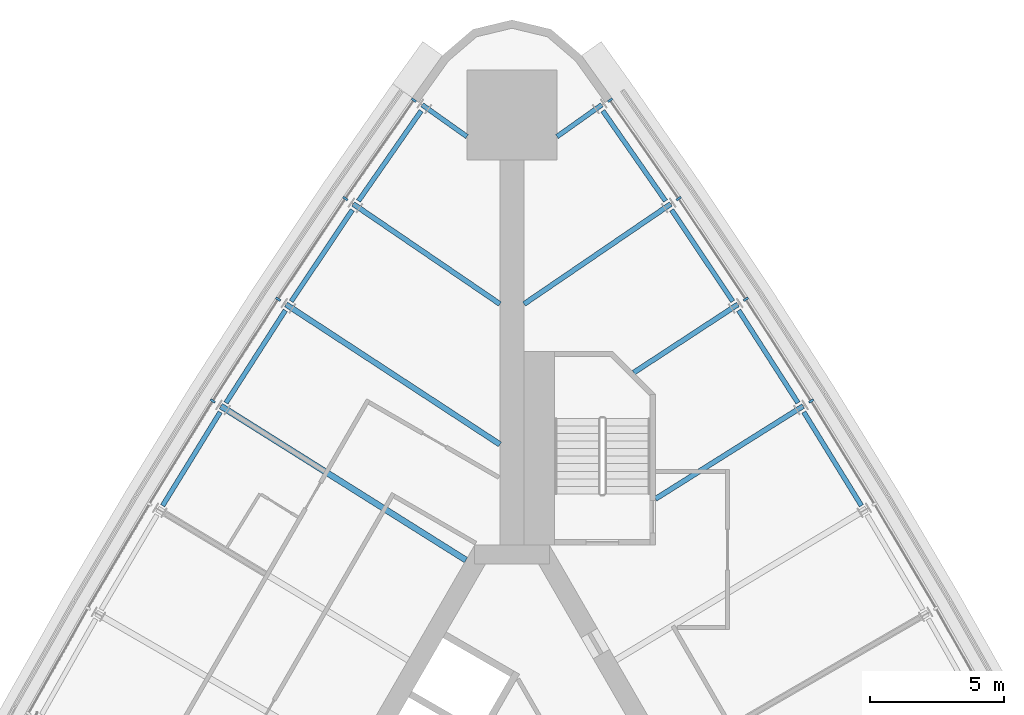
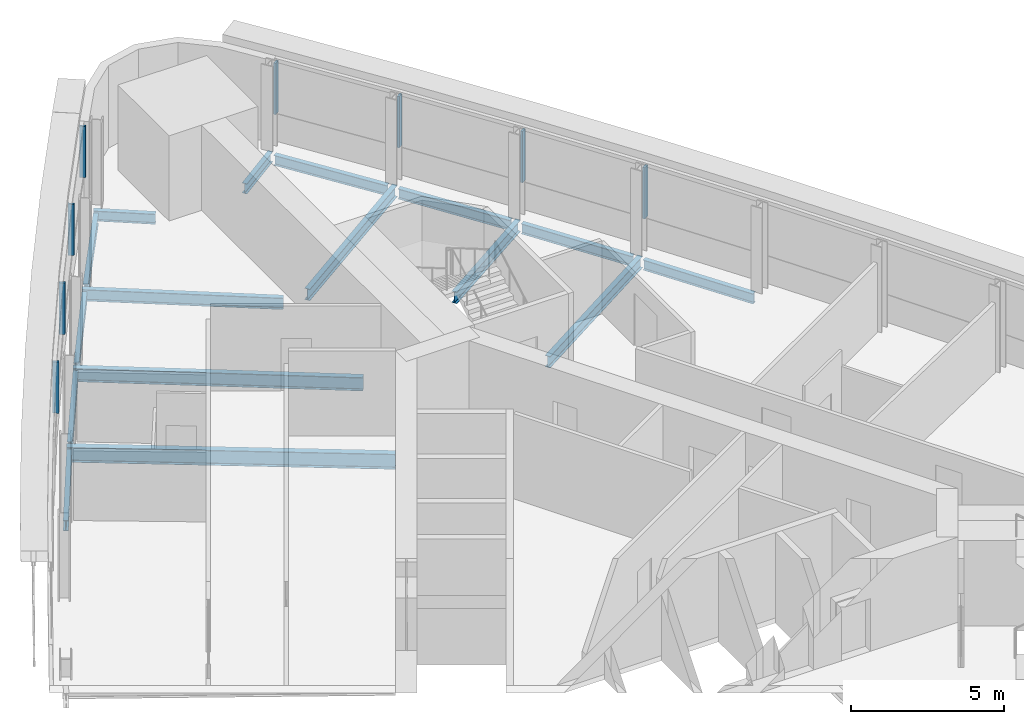
# One storey, part 8 of 14: 16 beams, 8 members, 2 elements without a shape of their own.
"""IFC4 building model written with IfcOpenShell, lengths in metres."""

from ifc_helpers import new_model, si_unit, direction, frame, origin, origin_2d, place, context, subcontext, project, spatial, rectangle, i_section, extrude, material, material_profile, profile_set, type_object, element, aggregate, save


model = new_model("IFC4")

# Units and contexts
model_context = context("Model", 3, precision=1e-05, world=origin(), true_north=direction((0.0, 1.0)))
body_context = subcontext(model_context, "Body", "Model", "MODEL_VIEW")
ifc_project = project(units=[si_unit("LENGTHUNIT", "METRE"), si_unit("AREAUNIT", "SQUARE_METRE"), si_unit("VOLUMEUNIT", "CUBIC_METRE"), si_unit("PLANEANGLEUNIT", "RADIAN"), si_unit("MASSUNIT", "GRAM", prefix="KILO")], contexts=[model_context])

# Site, building, storey
site_placement = place(None, origin())
site = spatial("IfcSite", under=ifc_project, at=site_placement, CompositionType="ELEMENT")
building_placement = place(site_placement, origin())
building = spatial("IfcBuilding", under=site, at=building_placement, Name="Noor Cloister Tower", CompositionType="ELEMENT")
storey_placement = place(building_placement, frame((0.0, 0.0, 42.0)))
storey = spatial("IfcBuildingStorey", under=building, at=storey_placement, Name="L10", CompositionType="ELEMENT", Elevation=42.0)

# Curtain wall, members
ifc_material_1 = material(Name="Aluminium 6063-T6 anodised", Category="aluminium")
curtain_wall_type = type_object("IfcCurtainWallType", Name="Ribbon curtain wall, lower tower CW1", PredefinedType="NOTDEFINED", material=ifc_material_1)
curtain_wall_1_placement = place(storey_placement, origin())
curtain_wall_1 = element("IfcCurtainWall", 1, at=curtain_wall_1_placement, inside=storey, type_object=curtain_wall_type, Name="CW1 L10 NW run 1", PredefinedType="NOTDEFINED")
ifc_material_2 = material(Name="Aluminium 6063-T6 anodised", Category="aluminium")
ifc_material_profile_1 = material_profile(ifc_material_2, rectangle(XDim=0.199951171875, YDim=0.080078125, at=origin_2d()), Name="200 x 80 mullion")
ifc_profile_set_1 = profile_set([ifc_material_profile_1], Name="Aluminium 6063-T6 anodised")
member_type = type_object("IfcMemberType", Name="Mullion CW1 80 x 200", PredefinedType="MULLION", material=ifc_profile_set_1)
member_1_placement = place(storey_placement, frame((-3.649658203125, 27.994140625, 1.10009765625), z_axis=(0.0, 0.0, 1.0), x_axis=(0.820865114232, -0.571122109742, 0.0)))
member_1 = element("IfcMember", 2, at=member_1_placement, type_object=member_type, Name="CW1 mullion 1", PredefinedType="MULLION", context=body_context, shape_type="SweptSolid", body=[
    extrude(rectangle(XDim=0.199951171875, YDim=0.080078125, at=origin_2d()), origin(), (0.0, 0.0, 1.0), 2.0498046875),
])
member_2_placement = place(storey_placement, frame((-6.1962890625, 24.333984375, 1.10009765625), z_axis=(0.0, 0.0, 1.0), x_axis=(0.826176871189, -0.563410842558, 0.0)))
member_2 = element("IfcMember", 3, at=member_2_placement, type_object=member_type, Name="CW1 mullion 2", PredefinedType="MULLION", context=body_context, shape_type="SweptSolid", body=[
    extrude(rectangle(XDim=0.199951171875, YDim=0.080078125, at=origin_2d()), origin(), (0.0, 0.0, 1.0), 2.0498046875),
])
member_3_placement = place(storey_placement, frame((-8.69580078125, 20.59423828125, 1.10009765625), z_axis=(0.0, 0.0, 1.0), x_axis=(0.836582621682, -0.547840777143, 0.0)))
member_3 = element("IfcMember", 4, at=member_3_placement, type_object=member_type, Name="CW1 mullion 3", PredefinedType="MULLION", context=body_context, shape_type="SweptSolid", body=[
    extrude(rectangle(XDim=0.199951171875, YDim=0.080078125, at=origin_2d()), origin(), (0.0, 0.0, 1.0), 2.0498046875),
])
member_4_placement = place(storey_placement, frame((-11.12451171875, 16.808349609375, 1.10009765625), z_axis=(0.0, 0.0, 1.0), x_axis=(0.846694967857, -0.532078595139, 0.0)))
member_4 = element("IfcMember", 5, at=member_4_placement, type_object=member_type, Name="CW1 mullion 4", PredefinedType="MULLION", context=body_context, shape_type="SweptSolid", body=[
    extrude(rectangle(XDim=0.199951171875, YDim=0.080078125, at=origin_2d()), origin(), (0.0, 0.0, 1.0), 2.0498046875),
])
aggregate(curtain_wall_1, [member_1, member_2, member_3, member_4])

curtain_wall_2_placement = place(storey_placement, origin())
curtain_wall_2 = element("IfcCurtainWall", 6, at=curtain_wall_2_placement, inside=storey, type_object=curtain_wall_type, Name="CW1 L10 NE run 3", PredefinedType="NOTDEFINED")
member_5_placement = place(storey_placement, frame((11.12451171875, 16.808349609375, 1.10009765625), z_axis=(0.0, 0.0, 1.0), x_axis=(-0.846694967857, -0.532078595139, 0.0)))
member_5 = element("IfcMember", 7, at=member_5_placement, type_object=member_type, Name="CW1 mullion 8", PredefinedType="MULLION", context=body_context, shape_type="SweptSolid", body=[
    extrude(rectangle(XDim=0.199951171875, YDim=0.080078125, at=origin_2d()), origin(), (0.0, 0.0, 1.0), 2.0498046875),
])
member_6_placement = place(storey_placement, frame((8.69580078125, 20.59423828125, 1.10009765625), z_axis=(0.0, 0.0, 1.0), x_axis=(-0.836582621682, -0.547840777143, 0.0)))
member_6 = element("IfcMember", 8, at=member_6_placement, type_object=member_type, Name="CW1 mullion 9", PredefinedType="MULLION", context=body_context, shape_type="SweptSolid", body=[
    extrude(rectangle(XDim=0.199951171875, YDim=0.080078125, at=origin_2d()), origin(), (0.0, 0.0, 1.0), 2.0498046875),
])
member_7_placement = place(storey_placement, frame((6.1962890625, 24.333984375, 1.10009765625), z_axis=(0.0, 0.0, 1.0), x_axis=(-0.826176871189, -0.563410842558, 0.0)))
member_7 = element("IfcMember", 9, at=member_7_placement, type_object=member_type, Name="CW1 mullion 10", PredefinedType="MULLION", context=body_context, shape_type="SweptSolid", body=[
    extrude(rectangle(XDim=0.199951171875, YDim=0.080078125, at=origin_2d()), origin(), (0.0, 0.0, 1.0), 2.0498046875),
])
member_8_placement = place(storey_placement, frame((3.649658203125, 27.994140625, 1.10009765625), z_axis=(0.0, 0.0, 1.0), x_axis=(-0.820865114232, -0.571122109742, 0.0)))
member_8 = element("IfcMember", 10, at=member_8_placement, type_object=member_type, Name="CW1 mullion 11", PredefinedType="MULLION", context=body_context, shape_type="SweptSolid", body=[
    extrude(rectangle(XDim=0.199951171875, YDim=0.080078125, at=origin_2d()), origin(), (0.0, 0.0, 1.0), 2.0498046875),
])
aggregate(curtain_wall_2, [member_5, member_6, member_7, member_8])

# Beams
ifc_material_3 = material(Name="Steel ASTM A992 Gr 50", Category="steel")
ifc_material_profile_2 = material_profile(ifc_material_3, i_section(OverallWidth=0.177978515625, OverallDepth=0.406005859375, WebThickness=0.0078125, FlangeThickness=0.0126953125, FilletRadius=0.01025390625, at=origin_2d()), Name="W410x60")
ifc_profile_set_2 = profile_set([ifc_material_profile_2], Name="Steel ASTM A992 Gr 50")
beam_type_1 = type_object("IfcBeamType", Name="Radial beam W410x60", PredefinedType="BEAM", material=ifc_profile_set_2)
for number, where, z_axis, x_axis, name in (
    (11, (-3.339599609375, 27.822021484375, -0.403076171875), (0.815483470887, -0.578780363101, 0.0), (0.578780363101, 0.815483470887, 0.0), "Radial beam NW 01 L10"),
    (12, (3.339599609375, 27.822021484375, -0.403076171875), (-0.815483470887, -0.578780363101, 0.0), (0.578780363101, -0.815483470887, 0.0), "Radial beam NE 11 L10"),
):
    element("IfcBeam", number, at=place(storey_placement, frame(where, z_axis=z_axis, x_axis=x_axis)), inside=storey, type_object=beam_type_1, Name=name, PredefinedType="BEAM", context=body_context, shape_type="SweptSolid", body=[
        extrude(i_section(OverallWidth=0.177978515625, OverallDepth=0.406005859375, WebThickness=0.0078125, FlangeThickness=0.0126953125, FilletRadius=0.01025390625, at=origin_2d()), origin(), (0.0, 0.0, 1.0), 2.041259765625),
    ])
ifc_material_4 = material(Name="Steel ASTM A992 Gr 50", Category="steel")
ifc_material_profile_3 = material_profile(ifc_material_4, i_section(OverallWidth=0.19091796875, OverallDepth=0.45703125, WebThickness=0.009033203125, FlangeThickness=0.014404296875, FilletRadius=0.01025390625, at=origin_2d()), Name="W460x74")
ifc_profile_set_3 = profile_set([ifc_material_profile_3], Name="Steel ASTM A992 Gr 50")
beam_type_2 = type_object("IfcBeamType", Name="Radial beam W460x74", PredefinedType="BEAM", material=ifc_profile_set_3)
beam_1_placement = place(storey_placement, frame((-5.90478515625, 24.135009765625, -0.428466796875), z_axis=(0.826190572063, -0.563390751285, 0.0), x_axis=(0.563390751285, 0.826190572063, 0.0)))
element("IfcBeam", 13, at=beam_1_placement, inside=storey, type_object=beam_type_2, Name="Radial beam NW 02 L10", PredefinedType="BEAM", context=body_context, shape_type="SweptSolid", body=[
    extrude(i_section(OverallWidth=0.19091796875, OverallDepth=0.45703125, WebThickness=0.009033203125, FlangeThickness=0.014404296875, FilletRadius=0.01025390625, at=origin_2d()), origin(), (0.0, 0.0, 1.0), 6.602294921875),
])
beam_2_placement = place(storey_placement, frame((10.82568359375, 16.62060546875, -0.428466796875), z_axis=(-0.846682107537, -0.532099059177, 0.0), x_axis=(0.532099059177, -0.846682107537, 0.0)))
element("IfcBeam", 14, at=beam_2_placement, inside=storey, type_object=beam_type_2, Name="Radial beam NE 08 L10", PredefinedType="BEAM", context=body_context, shape_type="SweptSolid", body=[
    extrude(i_section(OverallWidth=0.19091796875, OverallDepth=0.45703125, WebThickness=0.009033203125, FlangeThickness=0.014404296875, FilletRadius=0.01025390625, at=origin_2d()), origin(), (0.0, 0.0, 1.0), 6.484130859375),
])
beam_3_placement = place(storey_placement, frame((8.400390625, 20.40087890625, -0.428466796875), z_axis=(-0.836573643515, -0.547854487045, 0.0), x_axis=(0.547854487045, -0.836573643515, 0.0)))
element("IfcBeam", 15, at=beam_3_placement, inside=storey, type_object=beam_type_2, Name="Radial beam NE 09 L10", PredefinedType="BEAM", context=body_context, shape_type="SweptSolid", body=[
    extrude(i_section(OverallWidth=0.19091796875, OverallDepth=0.45703125, WebThickness=0.009033203125, FlangeThickness=0.014404296875, FilletRadius=0.01025390625, at=origin_2d()), origin(), (0.0, 0.0, 1.0), 4.629638671875),
])
beam_4_placement = place(storey_placement, frame((5.90478515625, 24.135009765625, -0.428466796875), z_axis=(-0.826190572063, -0.563390751285, 0.0), x_axis=(0.563390751285, -0.826190572063, 0.0)))
element("IfcBeam", 16, at=beam_4_placement, inside=storey, type_object=beam_type_2, Name="Radial beam NE 10 L10", PredefinedType="BEAM", context=body_context, shape_type="SweptSolid", body=[
    extrude(i_section(OverallWidth=0.19091796875, OverallDepth=0.45703125, WebThickness=0.009033203125, FlangeThickness=0.014404296875, FilletRadius=0.01025390625, at=origin_2d()), origin(), (0.0, 0.0, 1.0), 6.602294921875),
])
ifc_material_5 = material(Name="Steel ASTM A992 Gr 50", Category="steel")
ifc_material_profile_4 = material_profile(ifc_material_5, i_section(OverallWidth=0.208984375, OverallDepth=0.532958984375, WebThickness=0.01025390625, FlangeThickness=0.015625, FilletRadius=0.0126953125, at=origin_2d()), Name="W530x92")
ifc_profile_set_4 = profile_set([ifc_material_profile_4], Name="Steel ASTM A992 Gr 50")
beam_type_3 = type_object("IfcBeamType", Name="Radial beam W530x92", PredefinedType="BEAM", material=ifc_profile_set_4)
beam_5_placement = place(storey_placement, frame((-8.400390625, 20.40087890625, -0.466552734375), z_axis=(0.836586991604, -0.547834103975, 0.0), x_axis=(0.547834103975, 0.836586991604, 0.0)))
element("IfcBeam", 17, at=beam_5_placement, inside=storey, type_object=beam_type_3, Name="Radial beam NW 03 L10", PredefinedType="BEAM", context=body_context, shape_type="SweptSolid", body=[
    extrude(i_section(OverallWidth=0.208984375, OverallDepth=0.532958984375, WebThickness=0.01025390625, FlangeThickness=0.015625, FilletRadius=0.0126953125, at=origin_2d()), origin(), (0.0, 0.0, 1.0), 9.50341796875),
])
ifc_material_6 = material(Name="Steel ASTM A992 Gr 50", Category="steel")
ifc_material_profile_5 = material_profile(ifc_material_6, i_section(OverallWidth=0.22802734375, OverallDepth=0.60205078125, WebThickness=0.010498046875, FlangeThickness=0.014892578125, FilletRadius=0.0126953125, at=origin_2d()), Name="W610x101")
ifc_profile_set_5 = profile_set([ifc_material_profile_5], Name="Steel ASTM A992 Gr 50")
beam_type_4 = type_object("IfcBeamType", Name="Radial beam W610x101", PredefinedType="BEAM", material=ifc_profile_set_5)
beam_6_placement = place(storey_placement, frame((-10.82568359375, 16.62060546875, -0.5009765625), z_axis=(0.846692307637, -0.532082828315, 0.0), x_axis=(0.532082828315, 0.846692307637, 0.0)))
element("IfcBeam", 18, at=beam_6_placement, inside=storey, type_object=beam_type_4, Name="Radial beam NW 04 L10", PredefinedType="BEAM", context=body_context, shape_type="SweptSolid", body=[
    extrude(i_section(OverallWidth=0.22802734375, OverallDepth=0.60205078125, WebThickness=0.010498046875, FlangeThickness=0.014892578125, FilletRadius=0.0126953125, at=origin_2d()), origin(), (0.0, 0.0, 1.0), 10.764892578125),
])
ifc_material_7 = material(Name="Steel ASTM A992 Gr 50", Category="steel")
ifc_material_profile_6 = material_profile(ifc_material_7, i_section(OverallWidth=0.177978515625, OverallDepth=0.406005859375, WebThickness=0.0078125, FlangeThickness=0.0126953125, FilletRadius=0.01025390625, at=origin_2d()), Name="W410x60")
ifc_profile_set_6 = profile_set([ifc_material_profile_6], Name="Steel ASTM A992 Gr 50")
beam_type_5 = type_object("IfcBeamType", Name="Spandrel beam W410x60", PredefinedType="SPANDREL", material=ifc_profile_set_6)
for number, where, z_axis, x_axis, name in (
    (19, (-3.375732421875, 27.60009765625, -0.403076171875), (-0.571138018777, -0.820854045192, 0.0), (0.820854045192, -0.571138018777, 0.0), "Spandrel beam NW 01 L10"),
    (20, (-5.936767578125, 23.91259765625, -0.403076171875), (-0.555651299127, -0.831415439945, 0.0), (0.831415439945, -0.555651299127, 0.0), "Spandrel beam NW 02 L10"),
    (21, (-8.42822265625, 20.177734375, -0.403076171875), (-0.540011404368, -0.841657699515, 0.0), (0.841657699515, -0.540011404368, 0.0), "Spandrel beam NW 03 L10"),
    (22, (-10.849365234375, 16.39697265625, -0.403076171875), (-0.524164102598, -0.851617281147, 0.0), (0.851617281147, -0.524164102598, 0.0), "Spandrel beam NW 04 L10"),
    (23, (12.990966796875, 12.91748046875, -0.403076171875), (-0.524164102598, 0.851617281147, 0.0), (-0.851617281147, -0.524164102598, 0.0), "Spandrel beam NE 07 L10"),
    (24, (10.634521484375, 16.739013671875, -0.403076171875), (-0.540011404368, 0.841657699515, 0.0), (-0.841657699515, -0.540011404368, 0.0), "Spandrel beam NE 08 L10"),
    (25, (8.20703125, 20.515625, -0.403076171875), (-0.555651299127, 0.831415439945, 0.0), (-0.831415439945, -0.555651299127, 0.0), "Spandrel beam NE 09 L10"),
    (26, (5.709228515625, 24.246337890625, -0.403076171875), (-0.571138018777, 0.820854045192, 0.0), (-0.820854045192, -0.571138018777, 0.0), "Spandrel beam NE 10 L10"),
):
    element("IfcBeam", number, at=place(storey_placement, frame(where, z_axis=z_axis, x_axis=x_axis)), inside=storey, type_object=beam_type_5, Name=name, PredefinedType="SPANDREL", context=body_context, shape_type="SweptSolid", body=[
        extrude(i_section(OverallWidth=0.177978515625, OverallDepth=0.406005859375, WebThickness=0.0078125, FlangeThickness=0.0126953125, FilletRadius=0.01025390625, at=origin_2d()), origin(), (0.0, 0.0, 1.0), 4.085693359375),
    ])

save(model, "model.ifc")
